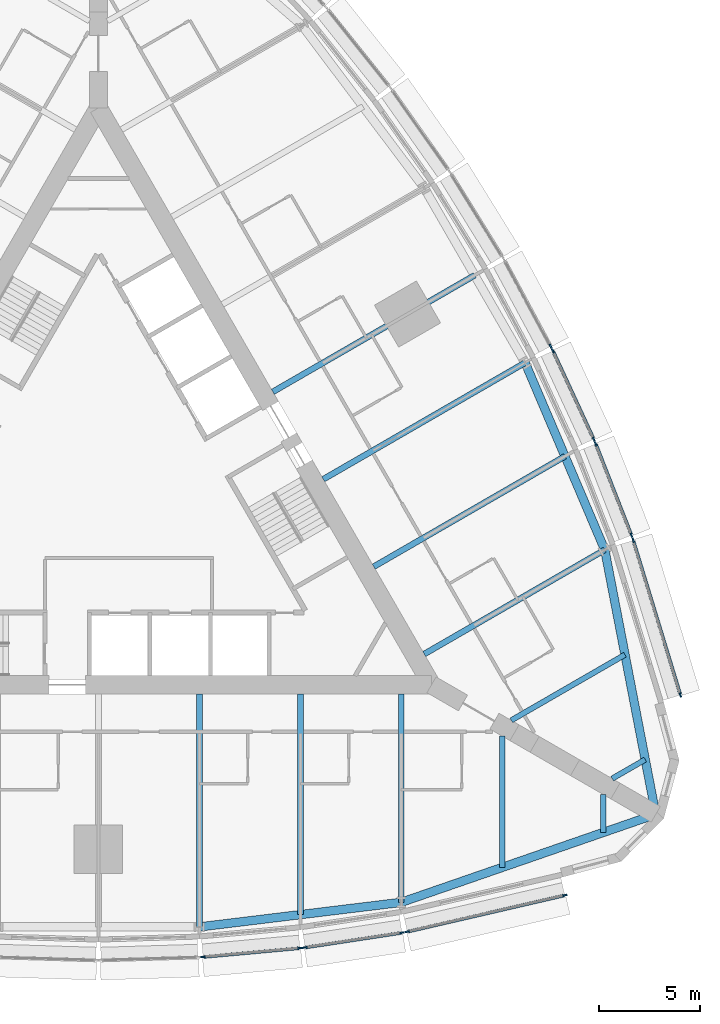
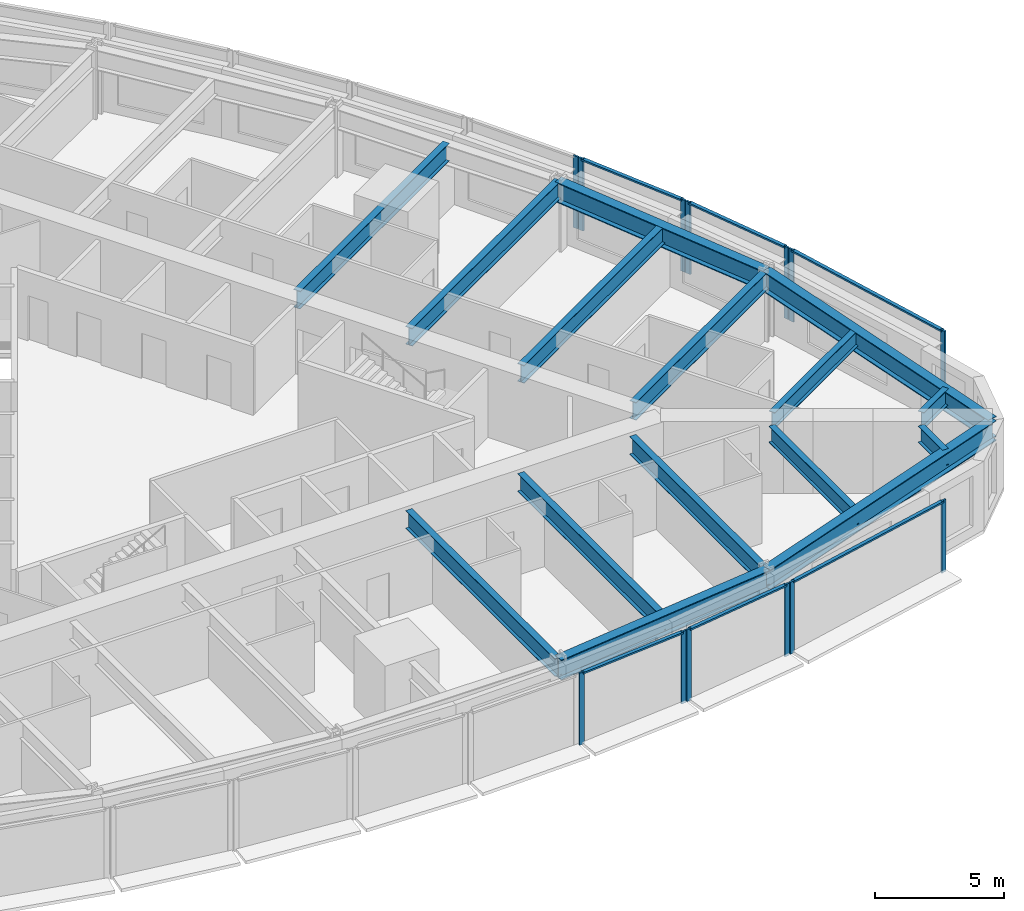
# One storey, part 3 of 14: 19 members, 15 beams, 7 elements without a shape of their own.
"""IFC4 building model written with IfcOpenShell, lengths in metres."""

from ifc_helpers import new_model, si_unit, direction, frame, origin, origin_2d, place, context, subcontext, project, spatial, rectangle, i_section, extrude, material, material_profile, profile_set, type_object, element, aggregate, save


model = new_model("IFC4")

# Units and contexts
model_context = context("Model", 3, precision=1e-05, world=origin(), true_north=direction((0.0, 1.0)))
body_context = subcontext(model_context, "Body", "Model", "MODEL_VIEW")
ifc_project = project(units=[si_unit("LENGTHUNIT", "METRE"), si_unit("AREAUNIT", "SQUARE_METRE"), si_unit("VOLUMEUNIT", "CUBIC_METRE"), si_unit("PLANEANGLEUNIT", "RADIAN"), si_unit("MASSUNIT", "GRAM", prefix="KILO")], contexts=[model_context])

# Site, building, storey
site_placement = place(None, origin())
site = spatial("IfcSite", under=ifc_project, at=site_placement, CompositionType="ELEMENT")
building_placement = place(site_placement, origin())
building = spatial("IfcBuilding", under=site, at=building_placement, Name="Trikona Tower", CompositionType="ELEMENT")
storey_placement = place(building_placement, frame((0.0, 0.0, 82.89990234375)))
storey = spatial("IfcBuildingStorey", under=building, at=storey_placement, Name="L21", CompositionType="ELEMENT", Elevation=82.89990234375)

# Curtain wall, members
ifc_material_1 = material(Name="Aluminium curtain wall system", Category="aluminium")
curtain_wall_type = type_object("IfcCurtainWallType", Name="Curtain wall DS1", PredefinedType="NOTDEFINED", material=ifc_material_1)
curtain_wall_1_placement = place(storey_placement, origin())
curtain_wall_1 = element("IfcCurtainWall", 1, at=curtain_wall_1_placement, inside=storey, type_object=curtain_wall_type, Name="Curtain wall DS1 L21", PredefinedType="NOTDEFINED")
ifc_material_2 = material(Name="Aluminium mullion, pale anodised", Category="aluminium")
ifc_material_profile_1 = material_profile(ifc_material_2, rectangle(XDim=0.080078125, YDim=0.219970703125, at=origin_2d()), Name="MUL-DS1")
ifc_profile_set_1 = profile_set([ifc_material_profile_1], Name="Aluminium mullion, pale anodised")
member_type_1 = type_object("IfcMemberType", Name="Mullion DS1 80x220", PredefinedType="MULLION", material=ifc_profile_set_1)
member_1_placement = place(storey_placement, frame((5.181396484375, -23.007568359375, 0.0), z_axis=(0.0, 0.0, 1.0), x_axis=(-0.090923932737, 0.995857840485, 0.0)))
member_1 = element("IfcMember", 2, at=member_1_placement, type_object=member_type_1, Name="CW-DS1 mullion 1", PredefinedType="MULLION", context=body_context, shape_type="SweptSolid", body=[
    extrude(rectangle(XDim=0.080078125, YDim=0.219970703125, at=origin_2d()), origin(), (0.0, 0.0, 1.0), 3.400146484375),
])
member_2_placement = place(storey_placement, frame((9.982177734375, -22.5693359375, 0.0), z_axis=(0.0, 0.0, 1.0), x_axis=(-0.090923932737, 0.995857840485, 0.0)))
member_2 = element("IfcMember", 3, at=member_2_placement, type_object=member_type_1, Name="CW-DS1 mullion 2", PredefinedType="MULLION", context=body_context, shape_type="SweptSolid", body=[
    extrude(rectangle(XDim=0.080078125, YDim=0.219970703125, at=origin_2d()), origin(), (0.0, 0.0, 1.0), 3.400146484375),
])

curtain_wall_2_placement = place(storey_placement, origin())
curtain_wall_2 = element("IfcCurtainWall", 4, at=curtain_wall_2_placement, inside=storey, type_object=curtain_wall_type, Name="Curtain wall DS1 L21", PredefinedType="NOTDEFINED")
member_3_placement = place(storey_placement, frame((10.234130859375, -22.53857421875, 0.0), z_axis=(0.0, 0.0, 1.0), x_axis=(-0.150437693845, 0.988619492156, 0.0)))
member_3 = element("IfcMember", 5, at=member_3_placement, type_object=member_type_1, Name="CW-DS1 mullion 1", PredefinedType="MULLION", context=body_context, shape_type="SweptSolid", body=[
    extrude(rectangle(XDim=0.080078125, YDim=0.219970703125, at=origin_2d()), origin(), (0.0, 0.0, 1.0), 3.400146484375),
])
member_4_placement = place(storey_placement, frame((15.03662109375, -21.807861328125, 0.0), z_axis=(0.0, 0.0, 1.0), x_axis=(-0.150437693845, 0.988619492156, 0.0)))
member_4 = element("IfcMember", 6, at=member_4_placement, type_object=member_type_1, Name="CW-DS1 mullion 2", PredefinedType="MULLION", context=body_context, shape_type="SweptSolid", body=[
    extrude(rectangle(XDim=0.080078125, YDim=0.219970703125, at=origin_2d()), origin(), (0.0, 0.0, 1.0), 3.400146484375),
])

curtain_wall_3_placement = place(storey_placement, origin())
curtain_wall_3 = element("IfcCurtainWall", 7, at=curtain_wall_3_placement, inside=storey, type_object=curtain_wall_type, Name="Curtain wall DS1 L21", PredefinedType="NOTDEFINED")
member_5_placement = place(storey_placement, frame((15.30029296875, -21.75732421875, 0.0), z_axis=(0.0, 0.0, 1.0), x_axis=(-0.225343288756, 0.974279427173, 0.0)))
member_5 = element("IfcMember", 8, at=member_5_placement, type_object=member_type_1, Name="CW-DS1 mullion 1", PredefinedType="MULLION", context=body_context, shape_type="SweptSolid", body=[
    extrude(rectangle(XDim=0.080078125, YDim=0.219970703125, at=origin_2d()), origin(), (0.0, 0.0, 1.0), 3.400146484375),
])
member_6_placement = place(storey_placement, frame((23.10546875, -19.951904296875, 0.0), z_axis=(0.0, 0.0, 1.0), x_axis=(-0.225343288756, 0.974279427173, 0.0)))
member_6 = element("IfcMember", 9, at=member_6_placement, type_object=member_type_1, Name="CW-DS1 mullion 2", PredefinedType="MULLION", context=body_context, shape_type="SweptSolid", body=[
    extrude(rectangle(XDim=0.080078125, YDim=0.219970703125, at=origin_2d()), origin(), (0.0, 0.0, 1.0), 3.400146484375),
])

curtain_wall_4_placement = place(storey_placement, origin())
curtain_wall_4 = element("IfcCurtainWall", 10, at=curtain_wall_4_placement, inside=storey, type_object=curtain_wall_type, Name="Curtain wall DS1 L21", PredefinedType="NOTDEFINED")
member_7_placement = place(storey_placement, frame((28.83154296875, -10.033935546875, 0.0), z_axis=(0.0, 0.0, 1.0), x_axis=(-0.956423115383, -0.291984287868, 0.0)))
member_7 = element("IfcMember", 11, at=member_7_placement, type_object=member_type_1, Name="CW-DS1 mullion 1", PredefinedType="MULLION", context=body_context, shape_type="SweptSolid", body=[
    extrude(rectangle(XDim=0.080078125, YDim=0.219970703125, at=origin_2d()), origin(), (0.0, 0.0, 1.0), 3.400146484375),
])
member_8_placement = place(storey_placement, frame((26.492431640625, -2.371826171875, 0.0), z_axis=(0.0, 0.0, 1.0), x_axis=(-0.956423115383, -0.291984287868, 0.0)))
member_8 = element("IfcMember", 12, at=member_8_placement, type_object=member_type_1, Name="CW-DS1 mullion 2", PredefinedType="MULLION", context=body_context, shape_type="SweptSolid", body=[
    extrude(rectangle(XDim=0.080078125, YDim=0.219970703125, at=origin_2d()), origin(), (0.0, 0.0, 1.0), 3.400146484375),
])

curtain_wall_5_placement = place(storey_placement, origin())
curtain_wall_5 = element("IfcCurtainWall", 13, at=curtain_wall_5_placement, inside=storey, type_object=curtain_wall_type, Name="Curtain wall DS1 L21", PredefinedType="NOTDEFINED")
member_9_placement = place(storey_placement, frame((26.404296875, -2.1181640625, 0.0), z_axis=(0.0, 0.0, 1.0), x_axis=(-0.931395989443, -0.36400756977, 0.0)))
member_9 = element("IfcMember", 14, at=member_9_placement, type_object=member_type_1, Name="CW-DS1 mullion 1", PredefinedType="MULLION", context=body_context, shape_type="SweptSolid", body=[
    extrude(rectangle(XDim=0.080078125, YDim=0.219970703125, at=origin_2d()), origin(), (0.0, 0.0, 1.0), 3.400146484375),
])
member_10_placement = place(storey_placement, frame((24.63623046875, 2.40625, 0.0), z_axis=(0.0, 0.0, 1.0), x_axis=(-0.931395989443, -0.36400756977, 0.0)))
member_10 = element("IfcMember", 15, at=member_10_placement, type_object=member_type_1, Name="CW-DS1 mullion 2", PredefinedType="MULLION", context=body_context, shape_type="SweptSolid", body=[
    extrude(rectangle(XDim=0.080078125, YDim=0.219970703125, at=origin_2d()), origin(), (0.0, 0.0, 1.0), 3.400146484375),
])

curtain_wall_6_placement = place(storey_placement, origin())
curtain_wall_6 = element("IfcCurtainWall", 16, at=curtain_wall_6_placement, inside=storey, type_object=curtain_wall_type, Name="Curtain wall DS1 L21", PredefinedType="NOTDEFINED")
member_11_placement = place(storey_placement, frame((24.53662109375, 2.6396484375, 0.0), z_axis=(0.0, 0.0, 1.0), x_axis=(-0.907898459992, -0.419190155352, 0.0)))
member_11 = element("IfcMember", 17, at=member_11_placement, type_object=member_type_1, Name="CW-DS1 mullion 1", PredefinedType="MULLION", context=body_context, shape_type="SweptSolid", body=[
    extrude(rectangle(XDim=0.080078125, YDim=0.219970703125, at=origin_2d()), origin(), (0.0, 0.0, 1.0), 3.400146484375),
])
member_12_placement = place(storey_placement, frame((22.515869140625, 7.0166015625, 0.0), z_axis=(0.0, 0.0, 1.0), x_axis=(-0.907898459992, -0.419190155352, 0.0)))
member_12 = element("IfcMember", 18, at=member_12_placement, type_object=member_type_1, Name="CW-DS1 mullion 2", PredefinedType="MULLION", context=body_context, shape_type="SweptSolid", body=[
    extrude(rectangle(XDim=0.080078125, YDim=0.219970703125, at=origin_2d()), origin(), (0.0, 0.0, 1.0), 3.400146484375),
])

# Curtain wall, member
curtain_wall_7_placement = place(storey_placement, origin())
curtain_wall_7 = element("IfcCurtainWall", 19, at=curtain_wall_7_placement, inside=storey, type_object=curtain_wall_type, Name="Curtain wall DS1 L21", PredefinedType="NOTDEFINED")
member_13_placement = place(storey_placement, frame((22.402099609375, 7.244140625, 0.0), z_axis=(0.0, 0.0, 1.0), x_axis=(-0.880843080975, -0.473408350896, 0.0)))
member_13 = element("IfcMember", 20, at=member_13_placement, type_object=member_type_1, Name="CW-DS1 mullion 1", PredefinedType="MULLION", context=body_context, shape_type="SweptSolid", body=[
    extrude(rectangle(XDim=0.080078125, YDim=0.219970703125, at=origin_2d()), origin(), (0.0, 0.0, 1.0), 3.400146484375),
])
aggregate(curtain_wall_7, [member_13])

# Beams
ifc_material_3 = material(Name="Steel ASTM A992 Grade 50", Category="steel")
ifc_material_profile_2 = material_profile(ifc_material_3, i_section(OverallWidth=0.2666015625, OverallDepth=0.76953125, WebThickness=0.015625, FlangeThickness=0.025390625, at=origin_2d()), Name="W30X132")
ifc_profile_set_2 = profile_set([ifc_material_profile_2], Name="Steel ASTM A992 Grade 50")
beam_type_1 = type_object("IfcBeamType", Name="Steel beam W30x132 (wedge)", PredefinedType="BEAM", material=ifc_profile_set_2)
beam_1_placement = place(storey_placement, frame((20.0, -12.066650390625, 2.850341796875), z_axis=(0.0, -1.0, 0.0), x_axis=(1.0, 0.0, 0.0)))
element("IfcBeam", 21, at=beam_1_placement, inside=storey, type_object=beam_type_1, Name="Floor beam L22 F1 u20", PredefinedType="BEAM", context=body_context, shape_type="SweptSolid", body=[
    extrude(i_section(OverallWidth=0.2666015625, OverallDepth=0.76953125, WebThickness=0.015625, FlangeThickness=0.025390625, at=origin_2d()), origin(), (0.0, 0.0, 1.0), 6.5068359375),
])
for number, where, z_axis, x_axis, name in (
    (22, (25.0, -14.953369140625, 2.850341796875), (0.0, -1.0, 0.0), (1.0, 0.0, 0.0), "Floor beam L22 F1 u25"),
    (23, (25.449951171875, -14.173828125, 2.850341796875), (0.866065156741, 0.499931139538, 0.0), (-0.499931139538, 0.866065156741, 0.0), "Floor beam L22 F2 u-25"),
):
    element("IfcBeam", number, at=place(storey_placement, frame(where, z_axis=z_axis, x_axis=x_axis)), inside=storey, type_object=beam_type_1, Name=name, PredefinedType="BEAM", context=body_context, shape_type="SweptSolid", body=[
        extrude(i_section(OverallWidth=0.2666015625, OverallDepth=0.76953125, WebThickness=0.015625, FlangeThickness=0.025390625, at=origin_2d()), origin(), (0.0, 0.0, 1.0), 1.890380859375),
    ])
beam_2_placement = place(storey_placement, frame((20.449951171875, -11.287109375, 2.850341796875), z_axis=(0.866022504693, 0.50000502134, 0.0), x_axis=(-0.50000502134, 0.866022504693, 0.0)))
element("IfcBeam", 24, at=beam_2_placement, inside=storey, type_object=beam_type_1, Name="Floor beam L22 F2 u-20", PredefinedType="BEAM", context=body_context, shape_type="SweptSolid", body=[
    extrude(i_section(OverallWidth=0.2666015625, OverallDepth=0.76953125, WebThickness=0.015625, FlangeThickness=0.025390625, at=origin_2d()), origin(), (0.0, 0.0, 1.0), 6.5068359375),
])
ifc_material_4 = material(Name="Steel ASTM A992 Grade 50", Category="steel")
ifc_material_profile_3 = material_profile(ifc_material_4, i_section(OverallWidth=0.2919921875, OverallDepth=0.845703125, WebThickness=0.015380859375, FlangeThickness=0.0244140625, at=origin_2d()), Name="W33X141")
ifc_profile_set_3 = profile_set([ifc_material_profile_3], Name="Steel ASTM A992 Grade 50")
beam_type_2 = type_object("IfcBeamType", Name="Steel beam W33x141 (radial typ)", PredefinedType="BEAM", material=ifc_profile_set_3)
beam_3_placement = place(storey_placement, frame((5.0, -9.976318359375, 2.812255859375), z_axis=(0.0, -1.0, 0.0), x_axis=(1.0, 0.0, 0.0)))
element("IfcBeam", 25, at=beam_3_placement, inside=storey, type_object=beam_type_2, Name="Floor beam L22 F1 u5", PredefinedType="BEAM", context=body_context, shape_type="SweptSolid", body=[
    extrude(i_section(OverallWidth=0.2919921875, OverallDepth=0.845703125, WebThickness=0.015380859375, FlangeThickness=0.0244140625, at=origin_2d()), origin(), (0.0, 0.0, 1.0), 11.544189453125),
])
beam_4_placement = place(storey_placement, frame((10.0, -9.976318359375, 2.812255859375), z_axis=(0.0, -1.0, 0.0), x_axis=(1.0, 0.0, 0.0)))
element("IfcBeam", 26, at=beam_4_placement, inside=storey, type_object=beam_type_2, Name="Floor beam L22 F1 u10", PredefinedType="BEAM", context=body_context, shape_type="SweptSolid", body=[
    extrude(i_section(OverallWidth=0.2919921875, OverallDepth=0.845703125, WebThickness=0.015380859375, FlangeThickness=0.0244140625, at=origin_2d()), origin(), (0.0, 0.0, 1.0), 10.935302734375),
])
beam_5_placement = place(storey_placement, frame((15.0, -9.976318359375, 2.812255859375), z_axis=(0.0, -1.0, 0.0), x_axis=(1.0, 0.0, 0.0)))
element("IfcBeam", 27, at=beam_5_placement, inside=storey, type_object=beam_type_2, Name="Floor beam L22 F1 u15", PredefinedType="BEAM", context=body_context, shape_type="SweptSolid", body=[
    extrude(i_section(OverallWidth=0.2919921875, OverallDepth=0.845703125, WebThickness=0.015380859375, FlangeThickness=0.0244140625, at=origin_2d()), origin(), (0.0, 0.0, 1.0), 10.32666015625),
])
beam_6_placement = place(storey_placement, frame((16.1396484375, -8.002197265625, 2.812255859375), z_axis=(0.866030471684, 0.499991222037, 0.0), x_axis=(-0.499991222037, 0.866030471684, 0.0)))
element("IfcBeam", 28, at=beam_6_placement, inside=storey, type_object=beam_type_2, Name="Floor beam L22 F2 u-15", PredefinedType="BEAM", context=body_context, shape_type="SweptSolid", body=[
    extrude(i_section(OverallWidth=0.2919921875, OverallDepth=0.845703125, WebThickness=0.015380859375, FlangeThickness=0.0244140625, at=origin_2d()), origin(), (0.0, 0.0, 1.0), 10.326904296875),
])
beam_7_placement = place(storey_placement, frame((13.6396484375, -3.672119140625, 2.812255859375), z_axis=(0.866025348605, 0.500000095573, 0.0), x_axis=(-0.500000095573, 0.866025348605, 0.0)))
element("IfcBeam", 29, at=beam_7_placement, inside=storey, type_object=beam_type_2, Name="Floor beam L22 F2 u-10", PredefinedType="BEAM", context=body_context, shape_type="SweptSolid", body=[
    extrude(i_section(OverallWidth=0.2919921875, OverallDepth=0.845703125, WebThickness=0.015380859375, FlangeThickness=0.0244140625, at=origin_2d()), origin(), (0.0, 0.0, 1.0), 10.935546875),
])
for number, where, z_axis, x_axis, name in (
    (30, (11.1396484375, 0.657958984375, 2.812255859375), (0.866020765707, 0.500008033299, 0.0), (-0.500008033299, 0.866020765707, 0.0), "Floor beam L22 F2 u-5"),
    (31, (8.6396484375, 4.988037109375, 2.812255859375), (0.866020765707, 0.500008033299, 0.0), (-0.500008033299, 0.866020765707, 0.0), "Floor beam L22 F2 u0"),
):
    element("IfcBeam", number, at=place(storey_placement, frame(where, z_axis=z_axis, x_axis=x_axis)), inside=storey, type_object=beam_type_2, Name=name, PredefinedType="BEAM", context=body_context, shape_type="SweptSolid", body=[
        extrude(i_section(OverallWidth=0.2919921875, OverallDepth=0.845703125, WebThickness=0.015380859375, FlangeThickness=0.0244140625, at=origin_2d()), origin(), (0.0, 0.0, 1.0), 11.544189453125),
    ])
ifc_material_5 = material(Name="Steel ASTM A992 Grade 50", Category="steel")
ifc_material_profile_4 = material_profile(ifc_material_5, i_section(OverallWidth=0.424072265625, OverallDepth=0.947509765625, WebThickness=0.02392578125, FlangeThickness=0.042724609375, at=origin_2d()), Name="W36X302")
ifc_profile_set_4 = profile_set([ifc_material_profile_4], Name="Steel ASTM A992 Grade 50")
beam_type_3 = type_object("IfcBeamType", Name="Steel beam W36x302 (spandrel)", PredefinedType="SPANDREL", material=ifc_profile_set_4)
beam_8_placement = place(storey_placement, frame((5.0, -21.5205078125, 2.761474609375), z_axis=(0.99266951126, 0.120860421207, 0.0), x_axis=(-0.120860421207, 0.99266951126, 0.0)))
element("IfcBeam", 32, at=beam_8_placement, inside=storey, type_object=beam_type_3, Name="Spandrel beam L22 F1-4", PredefinedType="SPANDREL", context=body_context, shape_type="SweptSolid", body=[
    extrude(i_section(OverallWidth=0.424072265625, OverallDepth=0.947509765625, WebThickness=0.02392578125, FlangeThickness=0.042724609375, at=origin_2d()), origin(), (0.0, 0.0, 1.0), 10.07373046875),
])
for number, where, z_axis, x_axis, name in (
    (33, (15.0, -20.302978515625, 2.761474609375), (0.945056965739, 0.326905692071, 0.0), (-0.326905692071, 0.945056965739, 0.0), "Spandrel beam L22 F1-5"),
    (34, (27.6103515625, -15.94091796875, 2.761474609375), (-0.189405184036, 0.981899015307, 0.0), (-0.981899015307, -0.189405184036, 0.0), "Spandrel beam L22 F2-1"),
):
    element("IfcBeam", number, at=place(storey_placement, frame(where, z_axis=z_axis, x_axis=x_axis)), inside=storey, type_object=beam_type_3, Name=name, PredefinedType="SPANDREL", context=body_context, shape_type="SweptSolid", body=[
        extrude(i_section(OverallWidth=0.424072265625, OverallDepth=0.947509765625, WebThickness=0.02392578125, FlangeThickness=0.042724609375, at=origin_2d()), origin(), (0.0, 0.0, 1.0), 13.343505859375),
    ])
beam_9_placement = place(storey_placement, frame((25.0830078125, -2.8388671875, 2.761474609375), z_axis=(-0.391683514847, 0.920100007715, 0.0), x_axis=(-0.920100007715, -0.391683514847, 0.0)))
element("IfcBeam", 35, at=beam_9_placement, inside=storey, type_object=beam_type_3, Name="Spandrel beam L22 F2-2", PredefinedType="SPANDREL", context=body_context, shape_type="SweptSolid", body=[
    extrude(i_section(OverallWidth=0.424072265625, OverallDepth=0.947509765625, WebThickness=0.02392578125, FlangeThickness=0.042724609375, at=origin_2d()), origin(), (0.0, 0.0, 1.0), 10.073974609375),
])

# Member
ifc_material_6 = material(Name="Aluminium transom, pale anodised", Category="aluminium")
ifc_material_profile_5 = material_profile(ifc_material_6, rectangle(XDim=0.159912109375, YDim=0.080078125, at=origin_2d()), Name="TRN-DS1")
ifc_profile_set_5 = profile_set([ifc_material_profile_5], Name="Aluminium transom, pale anodised")
member_type_2 = type_object("IfcMemberType", Name="Transom DS1 80x160", PredefinedType="USERDEFINED", material=ifc_profile_set_5)
member_14_placement = place(storey_placement, frame((5.22119140625, -23.00390625, 3.360107421875), z_axis=(0.995855977008, 0.090944340438, 0.0), x_axis=(-0.090944340438, 0.995855977008, 0.0)))
member_14 = element("IfcMember", 36, at=member_14_placement, type_object=member_type_2, Name="CW-DS1 transom 1.1", ObjectType="TRANSOM", PredefinedType="USERDEFINED", context=body_context, shape_type="SweptSolid", body=[
    extrude(rectangle(XDim=0.159912109375, YDim=0.080078125, at=origin_2d()), origin(), (0.0, 0.0, 1.0), 4.74072265625),
])

aggregate(curtain_wall_1, [member_1, member_2, member_14])

member_15_placement = place(storey_placement, frame((10.273681640625, -22.532470703125, 3.360107421875), z_axis=(0.988619663412, 0.150436568413, 0.0), x_axis=(-0.150436568413, 0.988619663412, 0.0)))
member_15 = element("IfcMember", 37, at=member_15_placement, type_object=member_type_2, Name="CW-DS1 transom 1.1", ObjectType="TRANSOM", PredefinedType="USERDEFINED", context=body_context, shape_type="SweptSolid", body=[
    extrude(rectangle(XDim=0.159912109375, YDim=0.080078125, at=origin_2d()), origin(), (0.0, 0.0, 1.0), 4.77783203125),
])

aggregate(curtain_wall_2, [member_3, member_4, member_15])

member_16_placement = place(storey_placement, frame((15.33935546875, -21.748291015625, 3.360107421875), z_axis=(0.974275371842, 0.225360821398, 0.0), x_axis=(-0.225360821398, 0.974275371842, 0.0)))
member_16 = element("IfcMember", 38, at=member_16_placement, type_object=member_type_2, Name="CW-DS1 transom 1.1", ObjectType="TRANSOM", PredefinedType="USERDEFINED", context=body_context, shape_type="SweptSolid", body=[
    extrude(rectangle(XDim=0.159912109375, YDim=0.080078125, at=origin_2d()), origin(), (0.0, 0.0, 1.0), 7.93115234375),
])

aggregate(curtain_wall_3, [member_5, member_6, member_16])

member_17_placement = place(storey_placement, frame((28.81982421875, -9.99560546875, 3.360107421875), z_axis=(-0.291967490203, 0.956428243343, 0.0), x_axis=(-0.956428243343, -0.291967490203, 0.0)))
member_17 = element("IfcMember", 39, at=member_17_placement, type_object=member_type_2, Name="CW-DS1 transom 1.1", ObjectType="TRANSOM", PredefinedType="USERDEFINED", context=body_context, shape_type="SweptSolid", body=[
    extrude(rectangle(XDim=0.159912109375, YDim=0.080078125, at=origin_2d()), origin(), (0.0, 0.0, 1.0), 7.93115234375),
])

aggregate(curtain_wall_4, [member_7, member_8, member_17])

member_18_placement = place(storey_placement, frame((26.389892578125, -2.080810546875, 3.360107421875), z_axis=(-0.364048647668, 0.931379934362, 0.0), x_axis=(-0.931379934362, -0.364048647668, 0.0)))
member_18 = element("IfcMember", 40, at=member_18_placement, type_object=member_type_2, Name="CW-DS1 transom 1.1", ObjectType="TRANSOM", PredefinedType="USERDEFINED", context=body_context, shape_type="SweptSolid", body=[
    extrude(rectangle(XDim=0.159912109375, YDim=0.080078125, at=origin_2d()), origin(), (0.0, 0.0, 1.0), 4.777587890625),
])

aggregate(curtain_wall_5, [member_9, member_10, member_18])

member_19_placement = place(storey_placement, frame((24.52001953125, 2.676025390625, 3.360107421875), z_axis=(-0.419188800665, 0.90789908547, 0.0), x_axis=(-0.90789908547, -0.419188800665, 0.0)))
member_19 = element("IfcMember", 41, at=member_19_placement, type_object=member_type_2, Name="CW-DS1 transom 1.1", ObjectType="TRANSOM", PredefinedType="USERDEFINED", context=body_context, shape_type="SweptSolid", body=[
    extrude(rectangle(XDim=0.159912109375, YDim=0.080078125, at=origin_2d()), origin(), (0.0, 0.0, 1.0), 4.74072265625),
])

aggregate(curtain_wall_6, [member_11, member_12, member_19])

save(model, "model.ifc")
